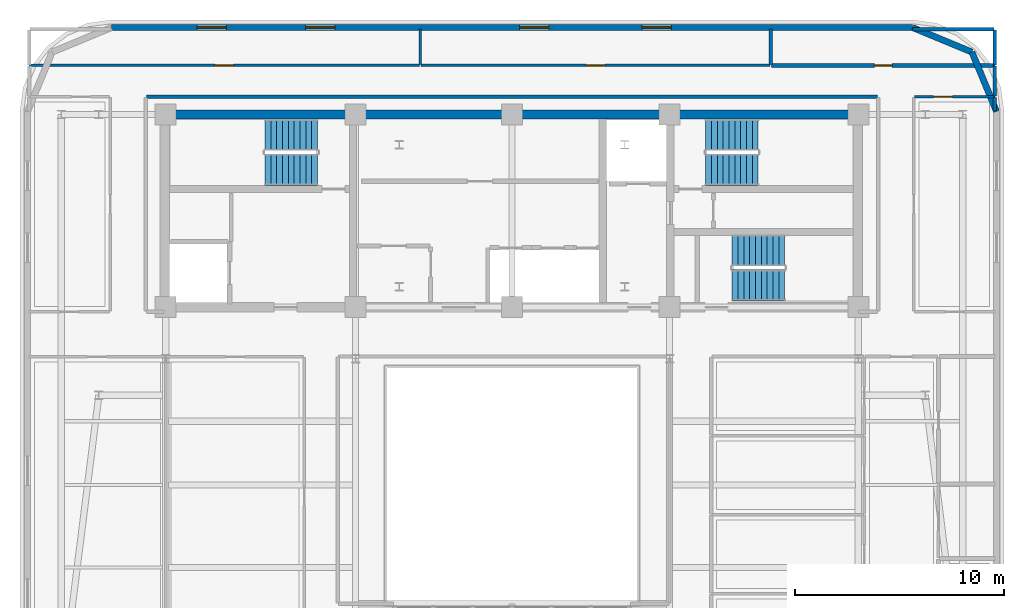
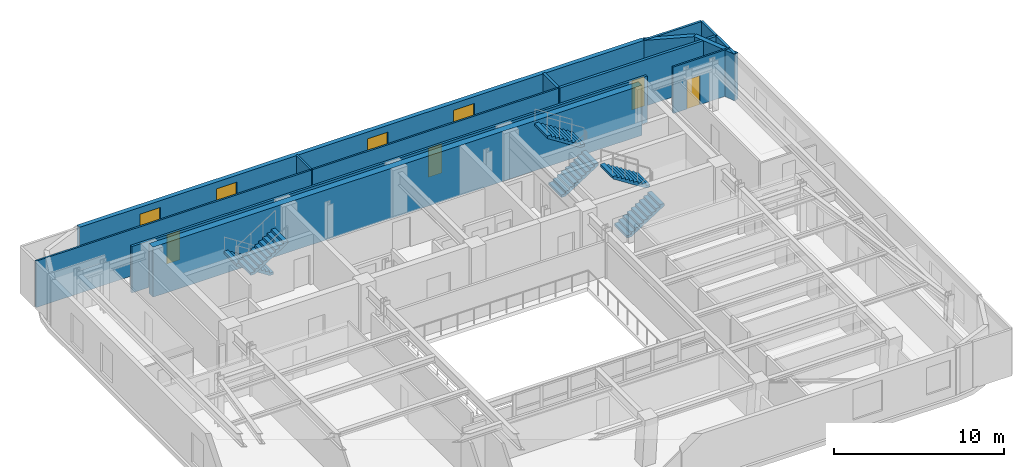
# One storey, part 9 of 13: 15 walls, 6 stair flights, 4 doors, 4 windows, 8 openings, 3 elements without a shape of their own.
"""IFC4 building model written with IfcOpenShell, lengths in metres."""

from ifc_helpers import new_model, si_unit, direction, frame, frame_2d, origin, place, context, subcontext, project, spatial, polyline, rectangle, outline, extrude, material, layer, layer_set, type_object, element, fill, aggregate, save


model = new_model("IFC4")

# Units and contexts
model_context = context("Model", 3, precision=1e-05, world=origin(), true_north=direction((0.0, 1.0)))
body_context = subcontext(model_context, "Body", "Model", "MODEL_VIEW")
ifc_project = project(units=[si_unit("LENGTHUNIT", "METRE"), si_unit("AREAUNIT", "SQUARE_METRE"), si_unit("VOLUMEUNIT", "CUBIC_METRE"), si_unit("PLANEANGLEUNIT", "RADIAN"), si_unit("MASSUNIT", "GRAM", prefix="KILO")], contexts=[model_context])

# Site, building, storey
site_placement = place(None, origin())
site = spatial("IfcSite", under=ifc_project, at=site_placement, CompositionType="ELEMENT")
building_placement = place(site_placement, origin())
building = spatial("IfcBuilding", under=site, at=building_placement, Name="Zarnavel Station Tower", CompositionType="ELEMENT")
storey_placement = place(building_placement, frame((0.0, 0.0, 204.0)))
storey = spatial("IfcBuildingStorey", under=building, at=storey_placement, Name="L55", CompositionType="ELEMENT", Elevation=204.0)

# Walls
ifc_material_1 = material(Name="Concrete C50/60", Category="concrete")
ifc_layer_1 = layer(ifc_material_1, 0.449951171875)
ifc_layer_set_1 = layer_set([ifc_layer_1], Name="CW_450")
wall_type_1 = type_object("IfcWallType", Name="CW_450", PredefinedType="SHEAR", material=ifc_layer_set_1)
wall_1_placement = place(storey_placement, frame((12.14990234375, 37.050048828125, 0.0), z_axis=(0.0, 0.0, 1.0), x_axis=(1.0, 0.0, 0.0)))
element("IfcWall", 1, at=wall_1_placement, inside=storey, type_object=wall_type_1, Name="L55 Rear Core Shear Wall N", PredefinedType="SHEAR", context=body_context, shape_type="SweptSolid", body=[
    extrude(rectangle(XDim=33.22998046875, YDim=0.449951171875, at=frame_2d((16.614990234375, 0.0))), origin(), (0.0, 0.0, 1.0), 3.60009765625),
])
ifc_material_2 = material(Name="Precast concrete C45/55 (Dark Basalt Finish)", Category="masonry")
ifc_layer_2 = layer(ifc_material_2, 0.300048828125)
ifc_layer_set_2 = layer_set([ifc_layer_2], Name="EW_BASALT_300")
wall_type_2 = type_object("IfcWallType", Name="EW_BASALT_300", PredefinedType="SOLIDWALL", material=ifc_layer_set_2)
for number, where, z_axis, x_axis, name in (
    (2, (50.842529296875, 40.04248046875, 0.0), (0.0, 0.0, 1.0), (0.382704529509, -0.923870793506, 0.0), "L55 Exterior Basalt Masonry Frame Wall 04"),
    (3, (48.0, 41.219970703125, 0.0), (0.0, 0.0, 1.0), (0.923870793506, -0.382704529509, 0.0), "L55 Exterior Basalt Masonry Frame Wall 05"),
):
    element("IfcWall", number, at=place(storey_placement, frame(where, z_axis=z_axis, x_axis=x_axis)), inside=storey, type_object=wall_type_2, Name=name, PredefinedType="SOLIDWALL", context=body_context, shape_type="SweptSolid", body=[
        extrude(rectangle(XDim=3.07666015625, YDim=0.300048828125, at=frame_2d((1.538330078125, 0.0))), origin(), (0.0, 0.0, 1.0), 3.340087890625),
    ])

# Wall, openings, windows
wall_2_placement = place(storey_placement, frame((9.60009765625, 41.219970703125, 0.0), z_axis=(0.0, 0.0, 1.0), x_axis=(1.0, 0.0, 0.0)))
wall_2 = element("IfcWall", 4, at=wall_2_placement, inside=storey, type_object=wall_type_2, Name="L55 Exterior Basalt Masonry Frame Wall 06", PredefinedType="SOLIDWALL", context=body_context, shape_type="SweptSolid", body=[
    extrude(rectangle(XDim=38.39990234375, YDim=0.300048828125, at=frame_2d((19.199951171875, 0.0))), origin(), (0.0, 0.0, 1.0), 3.340087890625),
])
opening_1_placement = place(wall_2_placement, frame((4.11328125, 0.0, 0.75)))
opening_1 = element("IfcOpeningElement", 5, at=opening_1_placement, cuts=wall_2, Name="Opening WN04", PredefinedType="OPENING", context=body_context, shape_type="SweptSolid", body=[
    extrude(rectangle(XDim=1.39990234375, YDim=2.10009765625, at=frame_2d((0.699951171875, 1.050048828125))), frame((0.0, 0.159912109375, 0.0), z_axis=(0.0, -1.0, 0.0), x_axis=(1.0, 0.0, 0.0)), (0.0, 0.0, 1.0), 0.320068359375),
])
opening_2_placement = place(wall_2_placement, frame((9.306640625, 0.0, 0.75)))
opening_2 = element("IfcOpeningElement", 6, at=opening_2_placement, cuts=wall_2, Name="Opening WN04", PredefinedType="OPENING", context=body_context, shape_type="SweptSolid", body=[
    extrude(rectangle(XDim=1.39990234375, YDim=2.10009765625, at=frame_2d((0.699951171875, 1.050048828125))), frame((0.0, 0.159912109375, 0.0), z_axis=(0.0, -1.0, 0.0), x_axis=(1.0, 0.0, 0.0)), (0.0, 0.0, 1.0), 0.320068359375),
])
opening_3_placement = place(wall_2_placement, frame((19.566650390625, 0.0, 0.75)))
opening_3 = element("IfcOpeningElement", 7, at=opening_3_placement, cuts=wall_2, Name="Opening WN04", PredefinedType="OPENING", context=body_context, shape_type="SweptSolid", body=[
    extrude(rectangle(XDim=1.39990234375, YDim=2.10009765625, at=frame_2d((0.699951171875, 1.050048828125))), frame((0.0, 0.159912109375, 0.0), z_axis=(0.0, -1.0, 0.0), x_axis=(1.0, 0.0, 0.0)), (0.0, 0.0, 1.0), 0.320068359375),
])
opening_4_placement = place(wall_2_placement, frame((25.433349609375, 0.0, 0.75)))
opening_4 = element("IfcOpeningElement", 8, at=opening_4_placement, cuts=wall_2, Name="Opening WN04", PredefinedType="OPENING", context=body_context, shape_type="SweptSolid", body=[
    extrude(rectangle(XDim=1.39990234375, YDim=2.10009765625, at=frame_2d((0.699951171875, 1.050048828125))), frame((0.0, 0.159912109375, 0.0), z_axis=(0.0, -1.0, 0.0), x_axis=(1.0, 0.0, 0.0)), (0.0, 0.0, 1.0), 0.320068359375),
])
ifc_material_3 = material(Name="Thermally Broken Black Aluminium and Low-E Dark Glass", Category="aluminium")
window_type = type_object("IfcWindowType", Name="WN_1400x2100", PartitioningType="DOUBLE_PANEL_VERTICAL", PredefinedType="WINDOW", material=ifc_material_3)
window_1_placement = place(opening_1_placement, origin())
window_1 = element("IfcWindow", 9, at=window_1_placement, inside=storey, type_object=window_type, Name="L55 Recessed Facade Window 01", OverallHeight=2.10009765625, OverallWidth=1.39990234375, PartitioningType="SINGLE_PANEL", PredefinedType="WINDOW", context=body_context, shape_type="SweptSolid", body=[
    extrude(rectangle(XDim=1.39990234375, YDim=2.10009765625, at=frame_2d((0.699951171875, 1.050048828125))), frame((0.0, 0.030029296875, 0.0), z_axis=(0.0, -1.0, 0.0), x_axis=(1.0, 0.0, 0.0)), (0.0, 0.0, 1.0), 0.06005859375),
])
fill(opening_1, window_1)
window_2_placement = place(opening_2_placement, origin())
window_2 = element("IfcWindow", 10, at=window_2_placement, inside=storey, type_object=window_type, Name="L55 Recessed Facade Window 02", OverallHeight=2.10009765625, OverallWidth=1.39990234375, PartitioningType="SINGLE_PANEL", PredefinedType="WINDOW", context=body_context, shape_type="SweptSolid", body=[
    extrude(rectangle(XDim=1.39990234375, YDim=2.10009765625, at=frame_2d((0.699951171875, 1.050048828125))), frame((0.0, 0.030029296875, 0.0), z_axis=(0.0, -1.0, 0.0), x_axis=(1.0, 0.0, 0.0)), (0.0, 0.0, 1.0), 0.06005859375),
])
fill(opening_2, window_2)
window_3_placement = place(opening_3_placement, origin())
window_3 = element("IfcWindow", 11, at=window_3_placement, inside=storey, type_object=window_type, Name="L55 Recessed Facade Window 03", OverallHeight=2.10009765625, OverallWidth=1.39990234375, PartitioningType="SINGLE_PANEL", PredefinedType="WINDOW", context=body_context, shape_type="SweptSolid", body=[
    extrude(rectangle(XDim=1.39990234375, YDim=2.10009765625, at=frame_2d((0.699951171875, 1.050048828125))), frame((0.0, 0.030029296875, 0.0), z_axis=(0.0, -1.0, 0.0), x_axis=(1.0, 0.0, 0.0)), (0.0, 0.0, 1.0), 0.06005859375),
])
fill(opening_3, window_3)
window_4_placement = place(opening_4_placement, origin())
window_4 = element("IfcWindow", 12, at=window_4_placement, inside=storey, type_object=window_type, Name="L55 Recessed Facade Window 04", OverallHeight=2.10009765625, OverallWidth=1.39990234375, PartitioningType="SINGLE_PANEL", PredefinedType="WINDOW", context=body_context, shape_type="SweptSolid", body=[
    extrude(rectangle(XDim=1.39990234375, YDim=2.10009765625, at=frame_2d((0.699951171875, 1.050048828125))), frame((0.0, 0.030029296875, 0.0), z_axis=(0.0, -1.0, 0.0), x_axis=(1.0, 0.0, 0.0)), (0.0, 0.0, 1.0), 0.06005859375),
])
fill(opening_4, window_4)

# Walls
ifc_material_4 = material(Name="Gypsum Twin-Stud Acoustic Fire Partition", Category="concrete")
ifc_layer_3 = layer(ifc_material_4, 0.159912109375)
ifc_layer_set_3 = layer_set([ifc_layer_3], Name="PT_DEMISE_160")
wall_type_3 = type_object("IfcWallType", Name="PT_DEMISE_160", PredefinedType="PARTITIONING", material=ifc_layer_set_3)
wall_3_placement = place(storey_placement, frame((11.280029296875, 37.89990234375, 0.0), z_axis=(0.0, 0.0, 1.0), x_axis=(1.0, 0.0, 0.0)))
element("IfcWall", 13, at=wall_3_placement, inside=storey, type_object=wall_type_3, Name="L55 Enclosure Wall COR-N", PredefinedType="PARTITIONING", context=body_context, shape_type="SweptSolid", body=[
    extrude(rectangle(XDim=35.0400390625, YDim=0.159912109375, at=frame_2d((17.52001953125, 0.0))), origin(), (0.0, 0.0, 1.0), 3.340087890625),
])
wall_4_placement = place(storey_placement, frame((51.93994140625, 37.929931640625, 0.0), z_axis=(0.0, 0.0, 1.0), x_axis=(0.0, 1.0, 0.0)))
element("IfcWall", 14, at=wall_4_placement, inside=storey, type_object=wall_type_3, Name="L55 Enclosure Wall COR-N", PredefinedType="PARTITIONING", context=body_context, shape_type="SweptSolid", body=[
    extrude(rectangle(XDim=1.440185546875, YDim=0.159912109375, at=frame_2d((0.72021484375, 0.0))), origin(), (0.0, 0.0, 1.0), 3.340087890625),
])
wall_5_placement = place(storey_placement, frame((51.93994140625, 37.22998046875, 0.0), z_axis=(0.0, 0.0, 1.0), x_axis=(0.0, 1.0, 0.0)))
element("IfcWall", 15, at=wall_5_placement, inside=storey, type_object=wall_type_3, Name="L55 Enclosure Wall FNE", PredefinedType="PARTITIONING", context=body_context, shape_type="SweptSolid", body=[
    extrude(rectangle(XDim=0.64013671875, YDim=0.159912109375, at=frame_2d((0.320068359375, 0.0))), origin(), (0.0, 0.0, 1.0), 3.340087890625),
])
wall_6_placement = place(storey_placement, frame((48.030029296875, 41.139892578125, 0.0), z_axis=(0.0, 0.0, 1.0), x_axis=(1.0, 0.0, 0.0)))
element("IfcWall", 16, at=wall_6_placement, inside=storey, type_object=wall_type_3, Name="L55 Enclosure Wall NWC", PredefinedType="PARTITIONING", context=body_context, shape_type="SweptSolid", body=[
    extrude(rectangle(XDim=3.8798828125, YDim=0.159912109375, at=frame_2d((1.93994140625, 0.0))), origin(), (0.0, 0.0, 1.0), 3.340087890625),
])
wall_7_placement = place(storey_placement, frame((51.93994140625, 39.429931640625, 0.0), z_axis=(0.0, 0.0, 1.0), x_axis=(0.0, 1.0, 0.0)))
element("IfcWall", 17, at=wall_7_placement, inside=storey, type_object=wall_type_3, Name="L55 Enclosure Wall NWC", PredefinedType="PARTITIONING", context=body_context, shape_type="SweptSolid", body=[
    extrude(rectangle(XDim=1.68017578125, YDim=0.159912109375, at=frame_2d((0.840087890625, 0.0))), origin(), (0.0, 0.0, 1.0), 3.340087890625),
])

# Wall, opening, door
ifc_material_5 = material(Name="Gypsum Metal-Stud Interior Partition", Category="concrete")
ifc_layer_4 = layer(ifc_material_5, 0.1201171875)
ifc_layer_set_4 = layer_set([ifc_layer_4], Name="PT_ROOM_120")
wall_type_4 = type_object("IfcWallType", Name="PT_ROOM_120", PredefinedType="PARTITIONING", material=ifc_layer_set_4)
wall_8_placement = place(storey_placement, frame((48.090087890625, 37.89990234375, 0.0), z_axis=(0.0, 0.0, 1.0), x_axis=(1.0, 0.0, 0.0)))
wall_8 = element("IfcWall", 18, at=wall_8_placement, inside=storey, type_object=wall_type_4, Name="L55 Partition COR-N-FNE", PredefinedType="PARTITIONING", context=body_context, shape_type="SweptSolid", body=[
    extrude(rectangle(XDim=3.849853515625, YDim=0.1201171875, at=frame_2d((1.9248046875, 0.0))), origin(), (0.0, 0.0, 1.0), 3.340087890625),
])
opening_5_placement = place(wall_8_placement, frame((0.918701171875, 0.0, 0.0)))
opening_5 = element("IfcOpeningElement", 19, at=opening_5_placement, cuts=wall_8, Name="Opening ID01", PredefinedType="OPENING", context=body_context, shape_type="SweptSolid", body=[
    extrude(rectangle(XDim=0.89990234375, YDim=2.10009765625, at=frame_2d((0.449951171875, 1.050048828125))), frame((0.0, 0.070068359375, 0.0), z_axis=(0.0, -1.0, 0.0), x_axis=(1.0, 0.0, 0.0)), (0.0, 0.0, 1.0), 0.14013671875),
])
ifc_material_6 = material(Name="Painted Galvanised Steel and Hardwood Leaf", Category="steel")
door_type_1 = type_object("IfcDoorType", Name="ID_ROOM_900", OperationType="NOTDEFINED", PredefinedType="DOOR", material=ifc_material_6)
door_1_placement = place(opening_5_placement, origin())
door_1 = element("IfcDoor", 20, at=door_1_placement, inside=storey, type_object=door_type_1, Name="L55 Door COR-N-FNE", OperationType="SINGLE_SWING_RIGHT", OverallHeight=2.10009765625, OverallWidth=0.89990234375, PredefinedType="DOOR", context=body_context, shape_type="SweptSolid", body=[
    extrude(rectangle(XDim=0.89990234375, YDim=2.10009765625, at=frame_2d((0.449951171875, 1.050048828125))), frame((0.0, 0.02490234375, 0.0), z_axis=(0.0, -1.0, 0.0), x_axis=(1.0, 0.0, 0.0)), (0.0, 0.0, 1.0), 0.050048828125),
])
fill(opening_5, door_1)

wall_9_placement = place(storey_placement, frame((5.659912109375, 39.39990234375, 0.0), z_axis=(0.0, 0.0, 1.0), x_axis=(1.0, 0.0, 0.0)))
wall_9 = element("IfcWall", 21, at=wall_9_placement, inside=storey, type_object=wall_type_4, Name="L55 Partition COR-N-NLIB", PredefinedType="PARTITIONING", context=body_context, shape_type="SweptSolid", body=[
    extrude(rectangle(XDim=18.7001953125, YDim=0.1201171875, at=frame_2d((9.35009765625, 0.0))), origin(), (0.0, 0.0, 1.0), 3.340087890625),
])
opening_6_placement = place(wall_9_placement, frame((8.89990234375, 0.0, 0.0)))
opening_6 = element("IfcOpeningElement", 22, at=opening_6_placement, cuts=wall_9, Name="Opening ID01", PredefinedType="OPENING", context=body_context, shape_type="SweptSolid", body=[
    extrude(rectangle(XDim=0.89990234375, YDim=2.10009765625, at=frame_2d((0.449951171875, 1.050048828125))), frame((0.0, 0.070068359375, 0.0), z_axis=(0.0, -1.0, 0.0), x_axis=(1.0, 0.0, 0.0)), (0.0, 0.0, 1.0), 0.14013671875),
])
door_2_placement = place(opening_6_placement, origin())
door_2 = element("IfcDoor", 23, at=door_2_placement, inside=storey, type_object=door_type_1, Name="L55 Door COR-N-NLIB", OperationType="SINGLE_SWING_LEFT", OverallHeight=2.10009765625, OverallWidth=0.89990234375, PredefinedType="DOOR", context=body_context, shape_type="SweptSolid", body=[
    extrude(rectangle(XDim=0.89990234375, YDim=2.10009765625, at=frame_2d((0.449951171875, 1.050048828125))), frame((0.0, 0.02490234375, 0.0), z_axis=(0.0, -1.0, 0.0), x_axis=(1.0, 0.0, 0.0)), (0.0, 0.0, 1.0), 0.050048828125),
])
fill(opening_6, door_2)

wall_10_placement = place(storey_placement, frame((24.43994140625, 39.39990234375, 0.0), z_axis=(0.0, 0.0, 1.0), x_axis=(1.0, 0.0, 0.0)))
wall_10 = element("IfcWall", 24, at=wall_10_placement, inside=storey, type_object=wall_type_4, Name="L55 Partition COR-N-NSPA", PredefinedType="PARTITIONING", context=body_context, shape_type="SweptSolid", body=[
    extrude(rectangle(XDim=16.719970703125, YDim=0.1201171875, at=frame_2d((8.35986328125, 0.0))), origin(), (0.0, 0.0, 1.0), 3.340087890625),
])
opening_7_placement = place(wall_10_placement, frame((7.909912109375, 0.0, 0.0)))
opening_7 = element("IfcOpeningElement", 25, at=opening_7_placement, cuts=wall_10, Name="Opening ID01", PredefinedType="OPENING", context=body_context, shape_type="SweptSolid", body=[
    extrude(rectangle(XDim=0.89990234375, YDim=2.10009765625, at=frame_2d((0.449951171875, 1.050048828125))), frame((0.0, 0.070068359375, 0.0), z_axis=(0.0, -1.0, 0.0), x_axis=(1.0, 0.0, 0.0)), (0.0, 0.0, 1.0), 0.14013671875),
])
door_3_placement = place(opening_7_placement, origin())
door_3 = element("IfcDoor", 26, at=door_3_placement, inside=storey, type_object=door_type_1, Name="L55 Door COR-N-NSPA", OperationType="SINGLE_SWING_RIGHT", OverallHeight=2.10009765625, OverallWidth=0.89990234375, PredefinedType="DOOR", context=body_context, shape_type="SweptSolid", body=[
    extrude(rectangle(XDim=0.89990234375, YDim=2.10009765625, at=frame_2d((0.449951171875, 1.050048828125))), frame((0.0, 0.02490234375, 0.0), z_axis=(0.0, -1.0, 0.0), x_axis=(1.0, 0.0, 0.0)), (0.0, 0.0, 1.0), 0.050048828125),
])
fill(opening_7, door_3)

# Wall
wall_11_placement = place(storey_placement, frame((24.39990234375, 39.43994140625, 0.0), z_axis=(0.0, 0.0, 1.0), x_axis=(0.0, 1.0, 0.0)))
element("IfcWall", 27, at=wall_11_placement, inside=storey, type_object=wall_type_4, Name="L55 Partition NLIB-NSPA", PredefinedType="PARTITIONING", context=body_context, shape_type="SweptSolid", body=[
    extrude(rectangle(XDim=1.699951171875, YDim=0.1201171875, at=frame_2d((0.85009765625, 0.0))), origin(), (0.0, 0.0, 1.0), 3.340087890625),
])

# Wall, opening, door
ifc_material_7 = material(Name="Moisture-Resistant Plumbing Chase Wall", Category="concrete")
ifc_layer_5 = layer(ifc_material_7, 0.179931640625)
ifc_layer_set_5 = layer_set([ifc_layer_5], Name="PW_PLUMB_180")
wall_type_5 = type_object("IfcWallType", Name="PW_PLUMB_180", PredefinedType="PLUMBINGWALL", material=ifc_layer_set_5)
wall_12_placement = place(storey_placement, frame((41.239990234375, 39.39990234375, 0.0), z_axis=(0.0, 0.0, 1.0), x_axis=(1.0, 0.0, 0.0)))
wall_12 = element("IfcWall", 28, at=wall_12_placement, inside=storey, type_object=wall_type_5, Name="L55 Partition COR-N-NWC", PredefinedType="PLUMBINGWALL", context=body_context, shape_type="SweptSolid", body=[
    extrude(rectangle(XDim=10.699951171875, YDim=0.179931640625, at=frame_2d((5.35009765625, 0.0))), origin(), (0.0, 0.0, 1.0), 3.340087890625),
])
opening_8_placement = place(wall_12_placement, frame((4.925048828125, 0.0, 0.0)))
opening_8 = element("IfcOpeningElement", 29, at=opening_8_placement, cuts=wall_12, Name="Opening ID02", PredefinedType="OPENING", context=body_context, shape_type="SweptSolid", body=[
    extrude(rectangle(XDim=0.85009765625, YDim=2.10009765625, at=frame_2d((0.425048828125, 1.050048828125))), frame((0.0, 0.099853515625, 0.0), z_axis=(0.0, -1.0, 0.0), x_axis=(1.0, 0.0, 0.0)), (0.0, 0.0, 1.0), 0.199951171875),
])
ifc_material_8 = material(Name="Painted Galvanised Steel and Hardwood Leaf", Category="steel")
door_type_2 = type_object("IfcDoorType", Name="ID_BATH_850", OperationType="NOTDEFINED", PredefinedType="DOOR", material=ifc_material_8)
door_4_placement = place(opening_8_placement, origin())
door_4 = element("IfcDoor", 30, at=door_4_placement, inside=storey, type_object=door_type_2, Name="L55 Door COR-N-NWC", OperationType="SINGLE_SWING_LEFT", OverallHeight=2.10009765625, OverallWidth=0.85009765625, PredefinedType="DOOR", context=body_context, shape_type="SweptSolid", body=[
    extrude(rectangle(XDim=0.85009765625, YDim=2.10009765625, at=frame_2d((0.425048828125, 1.050048828125))), frame((0.0, 0.02490234375, 0.0), z_axis=(0.0, -1.0, 0.0), x_axis=(1.0, 0.0, 0.0)), (0.0, 0.0, 1.0), 0.050048828125),
])
fill(opening_8, door_4)

# Wall
wall_13_placement = place(storey_placement, frame((41.199951171875, 39.43994140625, 0.0), z_axis=(0.0, 0.0, 1.0), x_axis=(0.0, 1.0, 0.0)))
element("IfcWall", 31, at=wall_13_placement, inside=storey, type_object=wall_type_5, Name="L55 Partition NSPA-NWC", PredefinedType="PLUMBINGWALL", context=body_context, shape_type="SweptSolid", body=[
    extrude(rectangle(XDim=1.699951171875, YDim=0.179931640625, at=frame_2d((0.85009765625, 0.0))), origin(), (0.0, 0.0, 1.0), 3.340087890625),
])

# Stair, stair flights
ifc_material_9 = material(Name="Concrete C45/55", Category="concrete")
stair_type = type_object("IfcStairType", Name="ST_CORE_150", PredefinedType="HALF_TURN_STAIR", material=ifc_material_9)
stair_1_placement = place(storey_placement, origin())
stair_1 = element("IfcStair", 32, at=stair_1_placement, inside=storey, type_object=stair_type, Name="L55 Core Exit Stair ST1", PredefinedType="HALF_TURN_STAIR")
ifc_material_10 = material(Name="Concrete C45/55", Category="concrete")
ifc_layer_6 = layer(ifc_material_10, 0.179931640625)
ifc_layer_set_6 = layer_set([ifc_layer_6], Name="ST_CORE_150_FLT")
stair_flight_type = type_object("IfcStairFlightType", Name="ST_CORE_150_FLT", PredefinedType="STRAIGHT", material=ifc_layer_set_6)
stair_flight_1_placement = place(storey_placement, frame((19.47998046875, 36.070068359375, 0.0), z_axis=(0.0, 0.0, 1.0), x_axis=(-1.0, 0.0, 0.0)))
stair_flight_1 = element("IfcStairFlight", 33, at=stair_flight_1_placement, type_object=stair_flight_type, Name="ST1 flight 1", NumberOfRisers=10, NumberOfTreads=9, PredefinedType="STRAIGHT", RiserHeight=0.18, TreadLength=0.28, context=body_context, shape_type="SweptSolid", body=[
    extrude(outline(polyline([(0.0, 0.0), (0.0, 0.179931640625), (0.280029296875, 0.179931640625), (0.280029296875, 0.360107421875), (0.56005859375, 0.360107421875), (0.56005859375, 0.5400390625), (0.840087890625, 0.5400390625), (0.840087890625, 0.719970703125), (1.1201171875, 0.719970703125), (1.1201171875, 0.89990234375), (1.39990234375, 0.89990234375), (1.39990234375, 1.080078125), (1.679931640625, 1.080078125), (1.679931640625, 1.260009765625), (1.9599609375, 1.260009765625), (1.9599609375, 1.43994140625), (2.239990234375, 1.43994140625), (2.239990234375, 1.6201171875), (2.52001953125, 1.6201171875), (2.52001953125, 1.800048828125), (2.52001953125, 1.44189453125), (0.277099609375, 0.0), (0.0, 0.0)])), frame((0.0, 0.75, 0.0), z_axis=(0.0, -1.0, 0.0), x_axis=(1.0, 0.0, 0.0)), (0.0, 0.0, 1.0), 1.5),
])
stair_flight_2_placement = place(storey_placement, frame((16.9599609375, 34.409912109375, 1.800048828125), z_axis=(0.0, 0.0, 1.0), x_axis=(1.0, 0.0, 0.0)))
stair_flight_2 = element("IfcStairFlight", 34, at=stair_flight_2_placement, type_object=stair_flight_type, Name="ST1 flight 2", NumberOfRisers=10, NumberOfTreads=9, PredefinedType="STRAIGHT", RiserHeight=0.18, TreadLength=0.28, context=body_context, shape_type="SweptSolid", body=[
    extrude(outline(polyline([(0.0, 0.0), (0.0, 0.179931640625), (0.280029296875, 0.179931640625), (0.280029296875, 0.360107421875), (0.56005859375, 0.360107421875), (0.56005859375, 0.5400390625), (0.840087890625, 0.5400390625), (0.840087890625, 0.719970703125), (1.1201171875, 0.719970703125), (1.1201171875, 0.89990234375), (1.39990234375, 0.89990234375), (1.39990234375, 1.080078125), (1.679931640625, 1.080078125), (1.679931640625, 1.260009765625), (1.9599609375, 1.260009765625), (1.9599609375, 1.43994140625), (2.239990234375, 1.43994140625), (2.239990234375, 1.6201171875), (2.52001953125, 1.6201171875), (2.52001953125, 1.800048828125), (2.52001953125, 1.44189453125), (0.277099609375, 0.0), (0.0, 0.0)])), frame((0.0, 0.75, 0.0), z_axis=(0.0, -1.0, 0.0), x_axis=(1.0, 0.0, 0.0)), (0.0, 0.0, 1.0), 1.5),
])
aggregate(stair_1, [stair_flight_1, stair_flight_2])

stair_2_placement = place(storey_placement, origin())
stair_2 = element("IfcStair", 35, at=stair_2_placement, inside=storey, type_object=stair_type, Name="L55 Core Exit Stair ST2", PredefinedType="HALF_TURN_STAIR")
stair_flight_3_placement = place(storey_placement, frame((38.080078125, 34.409912109375, 0.0), z_axis=(0.0, 0.0, 1.0), x_axis=(1.0, 0.0, 0.0)))
stair_flight_3 = element("IfcStairFlight", 36, at=stair_flight_3_placement, type_object=stair_flight_type, Name="ST2 flight 1", NumberOfRisers=10, NumberOfTreads=9, PredefinedType="STRAIGHT", RiserHeight=0.18, TreadLength=0.28, context=body_context, shape_type="SweptSolid", body=[
    extrude(outline(polyline([(0.0, 0.0), (0.0, 0.179931640625), (0.280029296875, 0.179931640625), (0.280029296875, 0.360107421875), (0.56005859375, 0.360107421875), (0.56005859375, 0.5400390625), (0.840087890625, 0.5400390625), (0.840087890625, 0.719970703125), (1.1201171875, 0.719970703125), (1.1201171875, 0.89990234375), (1.39990234375, 0.89990234375), (1.39990234375, 1.080078125), (1.679931640625, 1.080078125), (1.679931640625, 1.260009765625), (1.9599609375, 1.260009765625), (1.9599609375, 1.43994140625), (2.239990234375, 1.43994140625), (2.239990234375, 1.6201171875), (2.52001953125, 1.6201171875), (2.52001953125, 1.800048828125), (2.52001953125, 1.44189453125), (0.277099609375, 0.0), (0.0, 0.0)])), frame((0.0, 0.75, 0.0), z_axis=(0.0, -1.0, 0.0), x_axis=(1.0, 0.0, 0.0)), (0.0, 0.0, 1.0), 1.5),
])
stair_flight_4_placement = place(storey_placement, frame((40.60009765625, 36.070068359375, 1.800048828125), z_axis=(0.0, 0.0, 1.0), x_axis=(-1.0, 0.0, 0.0)))
stair_flight_4 = element("IfcStairFlight", 37, at=stair_flight_4_placement, type_object=stair_flight_type, Name="ST2 flight 2", NumberOfRisers=10, NumberOfTreads=9, PredefinedType="STRAIGHT", RiserHeight=0.18, TreadLength=0.28, context=body_context, shape_type="SweptSolid", body=[
    extrude(outline(polyline([(0.0, 0.0), (0.0, 0.179931640625), (0.280029296875, 0.179931640625), (0.280029296875, 0.360107421875), (0.56005859375, 0.360107421875), (0.56005859375, 0.5400390625), (0.840087890625, 0.5400390625), (0.840087890625, 0.719970703125), (1.1201171875, 0.719970703125), (1.1201171875, 0.89990234375), (1.39990234375, 0.89990234375), (1.39990234375, 1.080078125), (1.679931640625, 1.080078125), (1.679931640625, 1.260009765625), (1.9599609375, 1.260009765625), (1.9599609375, 1.43994140625), (2.239990234375, 1.43994140625), (2.239990234375, 1.6201171875), (2.52001953125, 1.6201171875), (2.52001953125, 1.800048828125), (2.52001953125, 1.44189453125), (0.277099609375, 0.0), (0.0, 0.0)])), frame((0.0, 0.75, 0.0), z_axis=(0.0, -1.0, 0.0), x_axis=(1.0, 0.0, 0.0)), (0.0, 0.0, 1.0), 1.5),
])
aggregate(stair_2, [stair_flight_3, stair_flight_4])

stair_3_placement = place(storey_placement, origin())
stair_3 = element("IfcStair", 38, at=stair_3_placement, inside=storey, type_object=stair_type, Name="L55 Core Exit Stair ST3", PredefinedType="HALF_TURN_STAIR")
stair_flight_5_placement = place(storey_placement, frame((39.35009765625, 28.8701171875, 0.0), z_axis=(0.0, 0.0, 1.0), x_axis=(1.0, 0.0, 0.0)))
stair_flight_5 = element("IfcStairFlight", 39, at=stair_flight_5_placement, type_object=stair_flight_type, Name="ST3 flight 1", NumberOfRisers=10, NumberOfTreads=9, PredefinedType="STRAIGHT", RiserHeight=0.18, TreadLength=0.28, context=body_context, shape_type="SweptSolid", body=[
    extrude(outline(polyline([(0.0, 0.0), (0.0, 0.179931640625), (0.280029296875, 0.179931640625), (0.280029296875, 0.360107421875), (0.56005859375, 0.360107421875), (0.56005859375, 0.5400390625), (0.840087890625, 0.5400390625), (0.840087890625, 0.719970703125), (1.1201171875, 0.719970703125), (1.1201171875, 0.89990234375), (1.39990234375, 0.89990234375), (1.39990234375, 1.080078125), (1.679931640625, 1.080078125), (1.679931640625, 1.260009765625), (1.9599609375, 1.260009765625), (1.9599609375, 1.43994140625), (2.239990234375, 1.43994140625), (2.239990234375, 1.6201171875), (2.52001953125, 1.6201171875), (2.52001953125, 1.800048828125), (2.52001953125, 1.44189453125), (0.277099609375, 0.0), (0.0, 0.0)])), frame((0.0, 0.75, 0.0), z_axis=(0.0, -1.0, 0.0), x_axis=(1.0, 0.0, 0.0)), (0.0, 0.0, 1.0), 1.5),
])
stair_flight_6_placement = place(storey_placement, frame((41.8701171875, 30.530029296875, 1.800048828125), z_axis=(0.0, 0.0, 1.0), x_axis=(-1.0, 0.0, 0.0)))
stair_flight_6 = element("IfcStairFlight", 40, at=stair_flight_6_placement, type_object=stair_flight_type, Name="ST3 flight 2", NumberOfRisers=10, NumberOfTreads=9, PredefinedType="STRAIGHT", RiserHeight=0.18, TreadLength=0.28, context=body_context, shape_type="SweptSolid", body=[
    extrude(outline(polyline([(0.0, 0.0), (0.0, 0.179931640625), (0.280029296875, 0.179931640625), (0.280029296875, 0.360107421875), (0.56005859375, 0.360107421875), (0.56005859375, 0.5400390625), (0.840087890625, 0.5400390625), (0.840087890625, 0.719970703125), (1.1201171875, 0.719970703125), (1.1201171875, 0.89990234375), (1.39990234375, 0.89990234375), (1.39990234375, 1.080078125), (1.679931640625, 1.080078125), (1.679931640625, 1.260009765625), (1.9599609375, 1.260009765625), (1.9599609375, 1.43994140625), (2.239990234375, 1.43994140625), (2.239990234375, 1.6201171875), (2.52001953125, 1.6201171875), (2.52001953125, 1.800048828125), (2.52001953125, 1.44189453125), (0.277099609375, 0.0), (0.0, 0.0)])), frame((0.0, 0.75, 0.0), z_axis=(0.0, -1.0, 0.0), x_axis=(1.0, 0.0, 0.0)), (0.0, 0.0, 1.0), 1.5),
])
aggregate(stair_3, [stair_flight_5, stair_flight_6])

save(model, "model.ifc")
